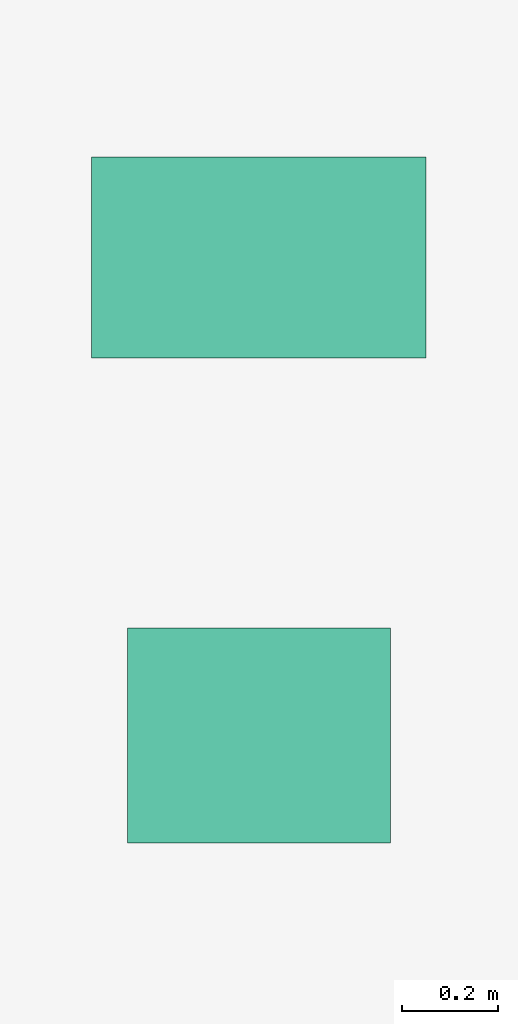
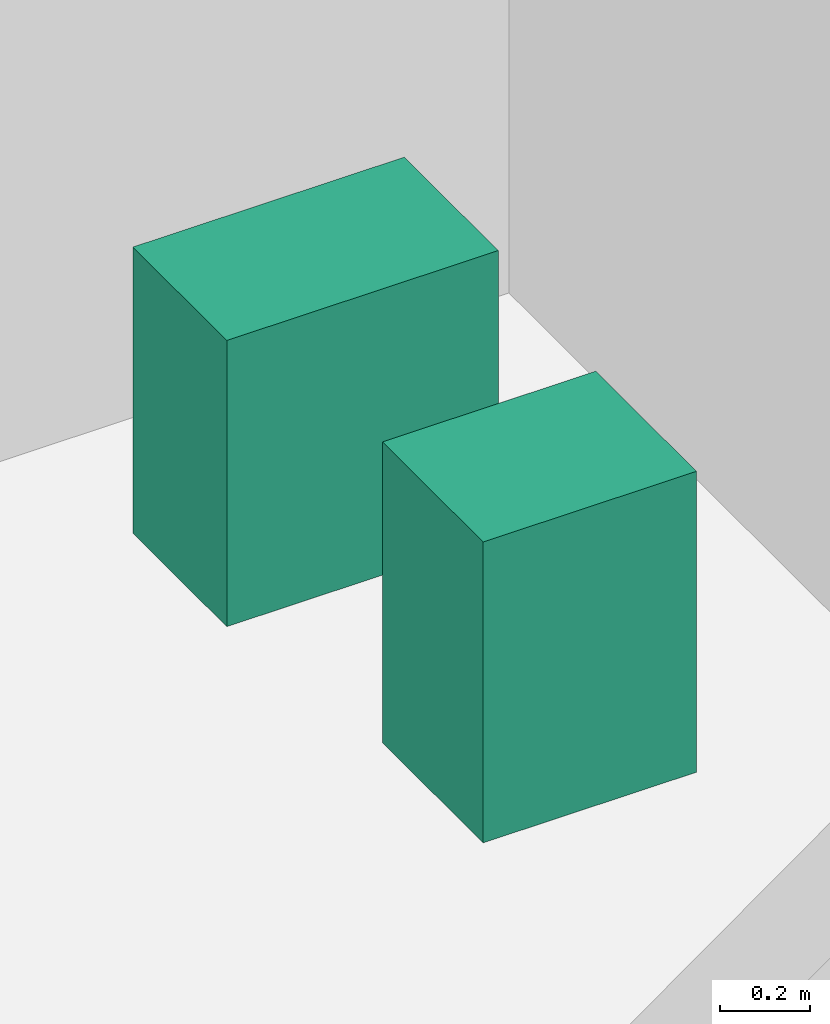
# One storey, part 27 of 27: 2 sanitary terminals.
"""IFC4 building model written with IfcOpenShell, lengths in metres."""

from ifc_helpers import new_model, si_unit, direction, frame, origin, origin_2d, place, context, subcontext, project, spatial, rectangle, extrude, source, transform, mapped, material, type_object, element, save


model = new_model("IFC4")

# Units and contexts
model_context = context("Model", 3, precision=1e-05, world=origin(), true_north=direction((0.0, 1.0)))
body_context = subcontext(model_context, "Body", "Model", "MODEL_VIEW")
ifc_project = project(units=[si_unit("LENGTHUNIT", "METRE"), si_unit("AREAUNIT", "SQUARE_METRE"), si_unit("VOLUMEUNIT", "CUBIC_METRE"), si_unit("PLANEANGLEUNIT", "RADIAN"), si_unit("MASSUNIT", "GRAM", prefix="KILO")], contexts=[model_context])

# Site, building, storey
site_placement = place(None, origin())
site = spatial("IfcSite", under=ifc_project, at=site_placement, CompositionType="ELEMENT")
building_placement = place(site_placement, origin())
building = spatial("IfcBuilding", under=site, at=building_placement, Name="Sumidabori Civic Tower", CompositionType="ELEMENT")
storey_placement = place(building_placement, frame((0.0, 0.0, 257.60009765625)))
storey = spatial("IfcBuildingStorey", under=building, at=storey_placement, Name="L67", CompositionType="ELEMENT", Elevation=257.60009765625)

# Sanitary terminals
ifc_material = material(Name="Vitreous Sanitary Porcelain")
sanitary_terminal_type_1 = type_object("IfcSanitaryTerminalType", Name="SN-WC-1", PredefinedType="TOILETPAN", material=ifc_material)
shared_shape_1 = source(origin(), body_context, "Body", "SweptSolid", [
    extrude(rectangle(XDim=0.699951171875, YDim=0.419921875, at=origin_2d()), origin(), (0.0, 0.0, 1.0), 0.780029296875),
])
sanitary_terminal_1_placement = place(storey_placement, frame((10.800048828125, 21.85009765625, 0.0), z_axis=(0.0, 0.0, 1.0), x_axis=(1.0, 0.0, 0.0)))
element("IfcSanitaryTerminal", 1, at=sanitary_terminal_1_placement, inside=storey, type_object=sanitary_terminal_type_1, Name="Accessible WC Pan L67", PredefinedType="TOILETPAN", context=body_context, shape_type="MappedRepresentation", body=[
    mapped(shared_shape_1, transform((0.0, 0.0, 0.0), x_axis=(1.0, 0.0, 0.0), y_axis=(0.0, 1.0, 0.0), z_axis=(0.0, 0.0, 1.0), scale=1.0)),
])
sanitary_terminal_type_2 = type_object("IfcSanitaryTerminalType", Name="SN-BAS-1", PredefinedType="WASHHANDBASIN", material=ifc_material)
shared_shape_2 = source(origin(), body_context, "Body", "SweptSolid", [
    extrude(rectangle(XDim=0.550048828125, YDim=0.449951171875, at=origin_2d()), origin(), (0.0, 0.0, 1.0), 0.820068359375),
])
sanitary_terminal_2_placement = place(storey_placement, frame((10.800048828125, 20.85009765625, 0.0), z_axis=(0.0, 0.0, 1.0), x_axis=(1.0, 0.0, 0.0)))
element("IfcSanitaryTerminal", 2, at=sanitary_terminal_2_placement, inside=storey, type_object=sanitary_terminal_type_2, Name="Accessible Basin L67", PredefinedType="WASHHANDBASIN", context=body_context, shape_type="MappedRepresentation", body=[
    mapped(shared_shape_2, transform((0.0, 0.0, 0.0), x_axis=(1.0, 0.0, 0.0), y_axis=(0.0, 1.0, 0.0), z_axis=(0.0, 0.0, 1.0), scale=1.0)),
])

save(model, "model.ifc")
